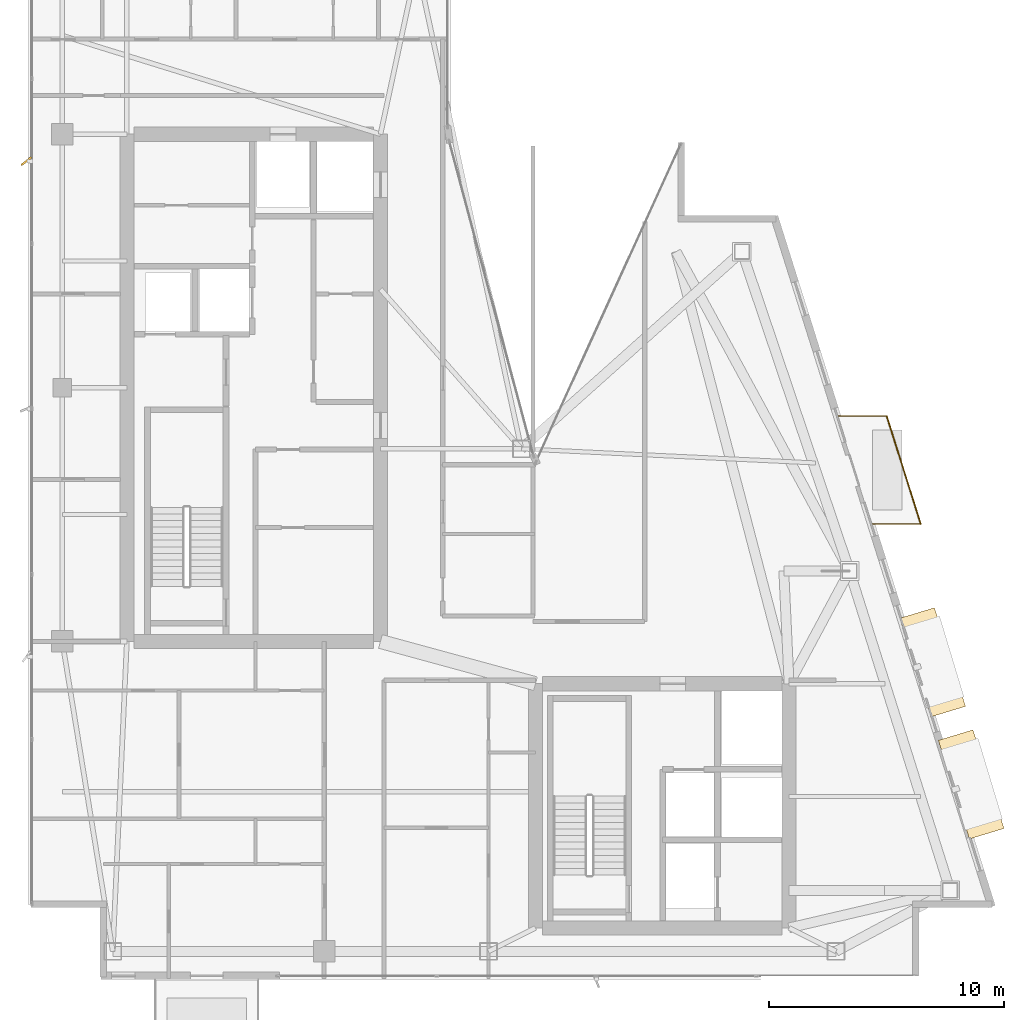
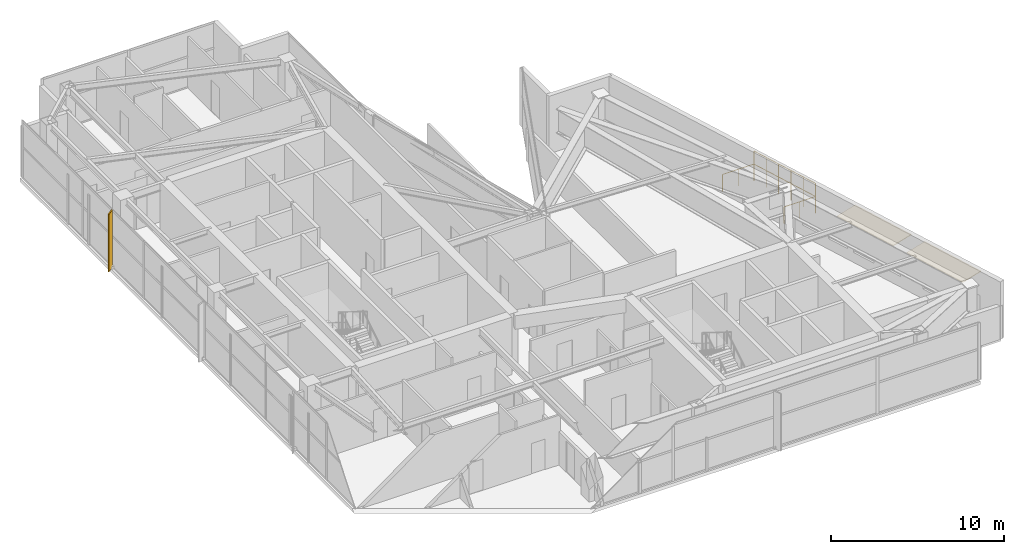
# One storey, part 26 of 26: 2 coverings, 2 railings, 1 shading device.
"""IFC4 building model written with IfcOpenShell, lengths in metres."""

from ifc_helpers import new_model, si_unit, direction, frame, origin, origin_2d, place, context, subcontext, project, spatial, polyline, rectangle, circle, outline, extrude, material, layer, layer_set, type_object, element, save


model = new_model("IFC4")

# Units and contexts
model_context = context("Model", 3, precision=1e-05, world=origin(), true_north=direction((0.0, 1.0)))
body_context = subcontext(model_context, "Body", "Model", "MODEL_VIEW")
ifc_project = project(units=[si_unit("LENGTHUNIT", "METRE"), si_unit("AREAUNIT", "SQUARE_METRE"), si_unit("VOLUMEUNIT", "CUBIC_METRE"), si_unit("PLANEANGLEUNIT", "RADIAN"), si_unit("MASSUNIT", "GRAM", prefix="KILO")], contexts=[model_context])

# Site, building, storey
site_placement = place(None, origin())
site = spatial("IfcSite", under=ifc_project, at=site_placement, CompositionType="ELEMENT")
building_placement = place(site_placement, origin())
building = spatial("IfcBuilding", under=site, at=building_placement, Name="Calvorn Quay Hotel", CompositionType="ELEMENT")
storey_placement = place(building_placement, frame((0.0, 0.0, 302.5)))
storey = spatial("IfcBuildingStorey", under=building, at=storey_placement, Name="L75", CompositionType="ELEMENT", Elevation=302.5)

# Coverings
ifc_material_1 = material(Name="Pale Anodised Aluminium Rainscreen Cladding", Category="aluminium")
ifc_layer = layer(ifc_material_1, 0.044921875)
ifc_layer_set = layer_set([ifc_layer], Name="COV-CROWN-CLAD")
covering_type = type_object("IfcCoveringType", Name="COV-CROWN-CLAD", PredefinedType="CLADDING", material=ifc_layer_set)
covering_1_placement = place(storey_placement, frame((0.0, 0.0, 2.5048828125)))
element("IfcCovering", 1, at=covering_1_placement, inside=storey, type_object=covering_type, Name="Angled Bay Hood Canopy L75-HOOD-1", PredefinedType="CLADDING", context=body_context, shape_type="SweptSolid", body=[
    extrude(outline(polyline([(38.757080078125, 12.587890625), (40.22998046875, 13.034912109375), (41.552978515625, 8.8349609375), (40.080078125, 8.387939453125), (38.757080078125, 12.587890625)])), origin(), (0.0, 0.0, 1.0), 0.045166015625),
])
covering_2_placement = place(storey_placement, frame((0.0, 0.0, 2.5048828125)))
element("IfcCovering", 2, at=covering_2_placement, inside=storey, type_object=covering_type, Name="Angled Bay Hood Canopy L75-HOOD-2", PredefinedType="CLADDING", context=body_context, shape_type="SweptSolid", body=[
    extrude(outline(polyline([(37.117919921875, 17.7880859375), (38.591064453125, 18.235107421875), (39.9140625, 14.034912109375), (38.44091796875, 13.587890625), (37.117919921875, 17.7880859375)])), origin(), (0.0, 0.0, 1.0), 0.045166015625),
])

# Railings
ifc_material_2 = material(Name="Pale Anodised Aluminium and Laminated Glass", Category="aluminium")
railing_type = type_object("IfcRailingType", Name="RLG-BALUSTRADE-1200", PredefinedType="BALUSTRADE", material=ifc_material_2)
railing_1_placement = place(storey_placement, frame((35.906005859375, 21.800048828125, 0.0)))
element("IfcRailing", 3, at=railing_1_placement, inside=storey, type_object=railing_type, Name="Tree Balcony Perimeter Balustrade L75-BALC-E", PredefinedType="BALUSTRADE", context=body_context, shape_type="SweptSolid", body=[
    extrude(circle(Radius=0.02392578125, at=origin_2d()), frame((0.0, 0.0, 1.17578125), z_axis=(1.0, 0.0, 0.0), x_axis=(0.0, 1.0, 0.0)), (0.0, 0.0, 1.0), 2.10009765625),
    extrude(circle(Radius=0.02392578125, at=origin_2d()), frame((2.10009765625, 0.0, 1.17578125), z_axis=(-0.30049654061, 0.953782904587, 0.0), x_axis=(-0.953782904587, -0.30049654061, 0.0)), (0.0, 0.0, 1.0), 4.82275390625),
    extrude(circle(Radius=0.02392578125, at=origin_2d()), frame((0.65087890625, 4.599853515625, 1.17578125), z_axis=(-1.0, 0.0, 0.0), x_axis=(0.0, -1.0, 0.0)), (0.0, 0.0, 1.0), 2.099853515625),
    extrude(circle(Radius=0.02099609375, at=origin_2d()), origin(), (0.0, 0.0, 1.0), 1.15185546875),
    extrude(circle(Radius=0.02099609375, at=origin_2d()), frame((1.050048828125, 0.0, 0.0)), (0.0, 0.0, 1.0), 1.15185546875),
    extrude(circle(Radius=0.02099609375, at=origin_2d()), frame((2.10009765625, 0.0, 0.0)), (0.0, 0.0, 1.0), 1.15185546875),
    extrude(circle(Radius=0.02099609375, at=origin_2d()), frame((1.810302734375, 0.919921875, 0.0)), (0.0, 0.0, 1.0), 1.15185546875),
    extrude(circle(Radius=0.02099609375, at=origin_2d()), frame((1.5205078125, 1.83984375, 0.0)), (0.0, 0.0, 1.0), 1.15185546875),
    extrude(circle(Radius=0.02099609375, at=origin_2d()), frame((1.23046875, 2.760009765625, 0.0)), (0.0, 0.0, 1.0), 1.15185546875),
    extrude(circle(Radius=0.02099609375, at=origin_2d()), frame((0.940673828125, 3.679931640625, 0.0)), (0.0, 0.0, 1.0), 1.15185546875),
    extrude(circle(Radius=0.02099609375, at=origin_2d()), frame((0.65087890625, 4.599853515625, 0.0)), (0.0, 0.0, 1.0), 1.15185546875),
    extrude(circle(Radius=0.02099609375, at=origin_2d()), frame((-0.39892578125, 4.599853515625, 0.0)), (0.0, 0.0, 1.0), 1.15185546875),
    extrude(circle(Radius=0.02099609375, at=origin_2d()), frame((-1.448974609375, 4.599853515625, 0.0)), (0.0, 0.0, 1.0), 1.15185546875),
])
railing_2_placement = place(storey_placement, frame((38.006103515625, 21.800048828125, 0.89990234375)))
element("IfcRailing", 4, at=railing_2_placement, inside=storey, type_object=railing_type, Name="Planter Kerb High Safety Screen L75-BALC-E", PredefinedType="BALUSTRADE", context=body_context, shape_type="SweptSolid", body=[
    extrude(circle(Radius=0.02392578125, at=origin_2d()), frame((0.0, 0.0, 1.19580078125), z_axis=(-0.30049654061, 0.953782904587, 0.0), x_axis=(-0.953782904587, -0.30049654061, 0.0)), (0.0, 0.0, 1.0), 4.82275390625),
    extrude(circle(Radius=0.02099609375, at=origin_2d()), origin(), (0.0, 0.0, 1.0), 1.171875),
    extrude(circle(Radius=0.02099609375, at=origin_2d()), frame((-0.289794921875, 0.919921875, 0.0)), (0.0, 0.0, 1.0), 1.171875),
    extrude(circle(Radius=0.02099609375, at=origin_2d()), frame((-0.57958984375, 1.83984375, 0.0)), (0.0, 0.0, 1.0), 1.171875),
    extrude(circle(Radius=0.02099609375, at=origin_2d()), frame((-0.86962890625, 2.760009765625, 0.0)), (0.0, 0.0, 1.0), 1.171875),
    extrude(circle(Radius=0.02099609375, at=origin_2d()), frame((-1.159423828125, 3.679931640625, 0.0)), (0.0, 0.0, 1.0), 1.171875),
    extrude(circle(Radius=0.02099609375, at=origin_2d()), frame((-1.44921875, 4.599853515625, 0.0)), (0.0, 0.0, 1.0), 1.171875),
])

# Shading device
ifc_material_3 = material(Name="Champagne Bronze Anodised Aluminium 6063-T6", Category="aluminium")
shading_device_type = type_object("IfcShadingDeviceType", Name="SHD-FIN-A2", PredefinedType="USERDEFINED", material=ifc_material_3)
shading_device_placement = place(storey_placement, frame((-0.080078125, 37.25, 0.0), z_axis=(0.0, 0.0, 1.0), x_axis=(0.788010753607, 0.615661475326, 0.0)))
element("IfcShadingDevice", 5, at=shading_device_placement, inside=storey, type_object=shading_device_type, Name="Diagonal Sun-Shading Fin L75-W03", ObjectType="FIN", PredefinedType="USERDEFINED", context=body_context, shape_type="SweptSolid", body=[
    extrude(rectangle(XDim=0.550048828125, YDim=0.080078125, at=origin_2d()), origin(), (0.0, 0.0, 1.0), 4.050048828125),
])

save(model, "model.ifc")
